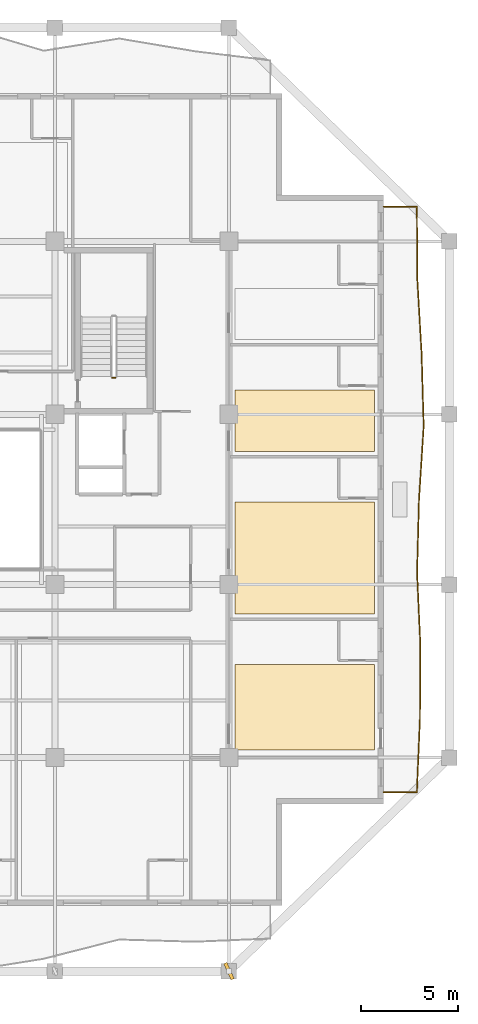
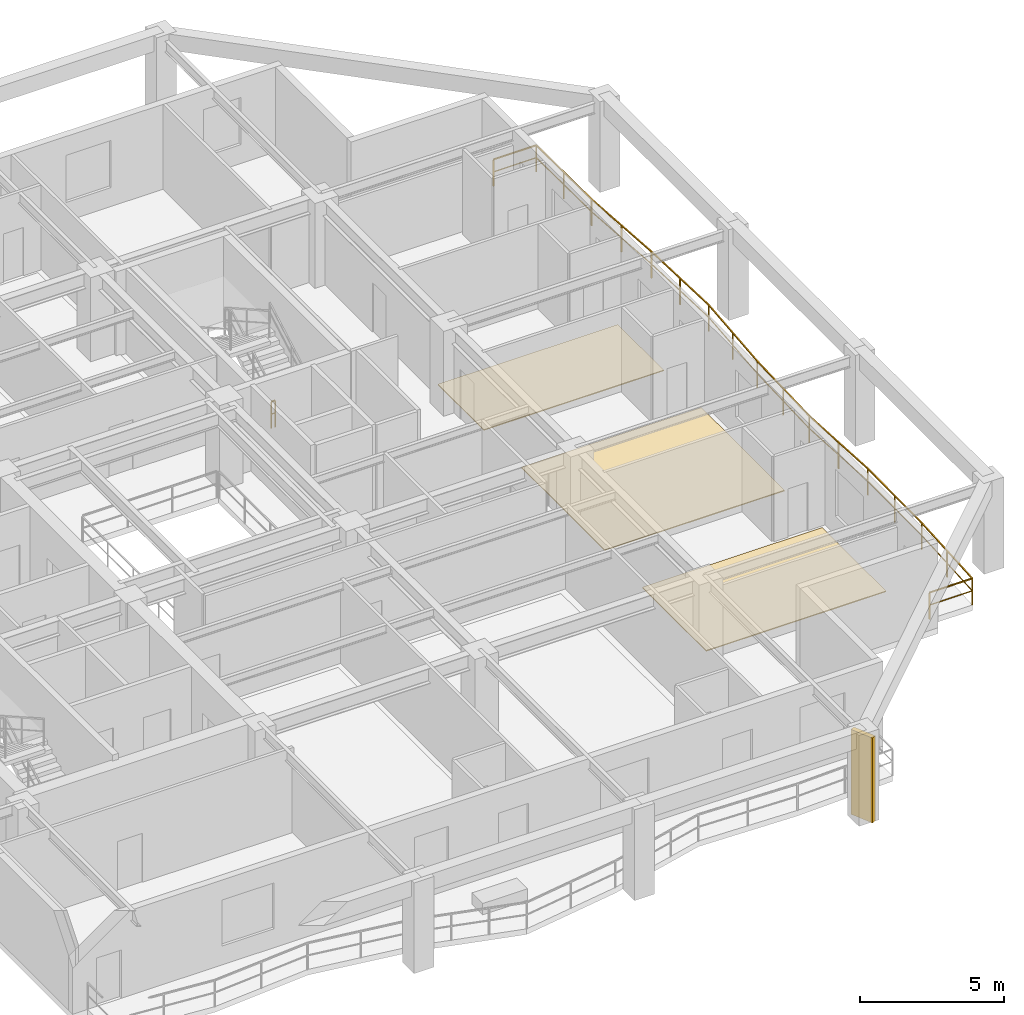
# One storey, part 10 of 13: 3 coverings, 2 railings, 1 shading device.
"""IFC4 building model written with IfcOpenShell, lengths in metres."""

from ifc_helpers import new_model, si_unit, direction, frame, origin, origin_2d, place, context, subcontext, project, spatial, polyline, rectangle, outline, extrude, material, layer, layer_set, type_object, element, save


model = new_model("IFC4")

# Units and contexts
model_context = context("Model", 3, precision=1e-05, world=origin(), true_north=direction((0.0, 1.0)))
body_context = subcontext(model_context, "Body", "Model", "MODEL_VIEW")
ifc_project = project(units=[si_unit("LENGTHUNIT", "METRE"), si_unit("AREAUNIT", "SQUARE_METRE"), si_unit("VOLUMEUNIT", "CUBIC_METRE"), si_unit("PLANEANGLEUNIT", "RADIAN"), si_unit("MASSUNIT", "GRAM", prefix="KILO")], contexts=[model_context])

# Site, building, storey
site_placement = place(None, origin())
site = spatial("IfcSite", under=ifc_project, at=site_placement, CompositionType="ELEMENT")
building_placement = place(site_placement, origin())
building = spatial("IfcBuilding", under=site, at=building_placement, Name="Kundavana Baori Tower", CompositionType="ELEMENT")
storey_placement = place(building_placement, frame((0.0, 0.0, 165.60009765625)))
storey = spatial("IfcBuildingStorey", under=building, at=storey_placement, Name="L40", CompositionType="ELEMENT", Elevation=165.60009765625)

# Coverings
ifc_material_1 = material(Name="Honed Kota Stone and Terrazzo Flooring", Category="masonry")
ifc_layer = layer(ifc_material_1, 0.0400390625, Name="COV-FLR-TERR-40")
ifc_layer_set = layer_set([ifc_layer], Name="Honed Kota Stone and Terrazzo Flooring")
covering_type = type_object("IfcCoveringType", Name="COV-FLR-TERR-40", PredefinedType="FLOORING", material=ifc_layer_set)
covering_1_placement = place(storey_placement, origin())
element("IfcCovering", 1, at=covering_1_placement, inside=storey, type_object=covering_type, Name="L40 Room Finished Stone Flooring 7", PredefinedType="FLOORING", context=body_context, shape_type="SweptSolid", body=[
    extrude(outline(polyline([(43.10009765625, 15.6298828125), (50.320068359375, 15.6298828125), (50.320068359375, 20.070068359375), (43.10009765625, 20.070068359375), (43.10009765625, 15.6298828125)])), origin(), (0.0, 0.0, 1.0), 0.039794921875),
])
covering_2_placement = place(storey_placement, origin())
element("IfcCovering", 2, at=covering_2_placement, inside=storey, type_object=covering_type, Name="L40 Room Finished Stone Flooring 8", PredefinedType="FLOORING", context=body_context, shape_type="SweptSolid", body=[
    extrude(outline(polyline([(43.10009765625, 22.679931640625), (50.320068359375, 22.679931640625), (50.320068359375, 28.469970703125), (43.10009765625, 28.469970703125), (43.10009765625, 22.679931640625)])), origin(), (0.0, 0.0, 1.0), 0.039794921875),
])
covering_3_placement = place(storey_placement, origin())
element("IfcCovering", 3, at=covering_3_placement, inside=storey, type_object=covering_type, Name="L40 Room Finished Stone Flooring 9", PredefinedType="FLOORING", context=body_context, shape_type="SweptSolid", body=[
    extrude(outline(polyline([(43.10009765625, 31.080078125), (50.320068359375, 31.080078125), (50.320068359375, 34.27001953125), (43.10009765625, 34.27001953125), (43.10009765625, 31.080078125)])), origin(), (0.0, 0.0, 1.0), 0.039794921875),
])

# Railings
ifc_material_2 = material(Name="Architectural Patinated Bronze Metalwork")
railing_type_1 = type_object("IfcRailingType", Name="RL-BAL-1150", PredefinedType="BALUSTRADE", material=ifc_material_2)
railing_1_placement = place(storey_placement, frame((50.800048828125, 43.75, 0.0)))
element("IfcRailing", 4, at=railing_1_placement, inside=storey, type_object=railing_type_1, Name="L40 Loggia Balcony Balustrade E", PredefinedType="BALUSTRADE", context=body_context, shape_type="SweptSolid", body=[
    extrude(rectangle(XDim=0.048095703125, YDim=0.048095703125, at=origin_2d()), frame((0.0, 0.0, 1.1259765625), z_axis=(1.0, 0.0, 0.0), x_axis=(0.0, 1.0, 0.0)), (0.0, 0.0, 1.0), 1.719970703125),
    extrude(rectangle(XDim=0.03125, YDim=0.03125, at=origin_2d()), frame((0.0, 0.0, 0.597900390625), z_axis=(1.0, 0.0, 0.0), x_axis=(0.0, 1.0, 0.0)), (0.0, 0.0, 1.0), 1.719970703125),
    extrude(rectangle(XDim=0.048095703125, YDim=0.048095703125, at=origin_2d()), frame((1.719970703125, 0.0, 1.1259765625), z_axis=(0.00715372259, -0.999974411799, 0.0), x_axis=(0.999974411799, 0.00715372259, 0.0)), (0.0, 0.0, 1.0), 3.7880859375),
    extrude(rectangle(XDim=0.03125, YDim=0.03125, at=origin_2d()), frame((1.719970703125, 0.0, 0.597900390625), z_axis=(0.00715372259, -0.999974411799, 0.0), x_axis=(0.999974411799, 0.00715372259, 0.0)), (0.0, 0.0, 1.0), 3.7880859375),
    extrude(rectangle(XDim=0.048095703125, YDim=0.048095703125, at=origin_2d()), frame((1.7470703125, -3.7880859375, 1.1259765625), z_axis=(0.057733468694, -0.998332032238, 0.0), x_axis=(0.998332032238, 0.057733468694, 0.0)), (0.0, 0.0, 1.0), 3.793212890625),
    extrude(rectangle(XDim=0.03125, YDim=0.03125, at=origin_2d()), frame((1.7470703125, -3.7880859375, 0.597900390625), z_axis=(0.057733468694, -0.998332032238, 0.0), x_axis=(0.998332032238, 0.057733468694, 0.0)), (0.0, 0.0, 1.0), 3.793212890625),
    extrude(rectangle(XDim=0.048095703125, YDim=0.048095703125, at=origin_2d()), frame((1.966064453125, -7.574951171875, 1.1259765625), z_axis=(0.028482508809, -0.999594291046, 0.0), x_axis=(0.999594291046, 0.028482508809, 0.0)), (0.0, 0.0, 1.0), 3.78857421875),
    extrude(rectangle(XDim=0.03125, YDim=0.03125, at=origin_2d()), frame((1.966064453125, -7.574951171875, 0.597900390625), z_axis=(0.028482508809, -0.999594291046, 0.0), x_axis=(0.999594291046, 0.028482508809, 0.0)), (0.0, 0.0, 1.0), 3.78857421875),
    extrude(rectangle(XDim=0.048095703125, YDim=0.048095703125, at=origin_2d()), frame((2.073974609375, -11.362060546875, 1.1259765625), z_axis=(-0.063487519069, -0.997982632576, 0.0), x_axis=(0.997982632576, -0.063487519069, 0.0)), (0.0, 0.0, 1.0), 3.79541015625),
    extrude(rectangle(XDim=0.03125, YDim=0.03125, at=origin_2d()), frame((2.073974609375, -11.362060546875, 0.597900390625), z_axis=(-0.063487519069, -0.997982632576, 0.0), x_axis=(0.997982632576, -0.063487519069, 0.0)), (0.0, 0.0, 1.0), 3.79541015625),
    extrude(rectangle(XDim=0.048095703125, YDim=0.048095703125, at=origin_2d()), frame((1.8330078125, -15.14990234375, 1.1259765625), z_axis=(-0.026672641649, -0.999644221805, 0.0), x_axis=(0.999644221805, -0.026672641649, 0.0)), (0.0, 0.0, 1.0), 3.78955078125),
    extrude(rectangle(XDim=0.03125, YDim=0.03125, at=origin_2d()), frame((1.8330078125, -15.14990234375, 0.597900390625), z_axis=(-0.026672641649, -0.999644221805, 0.0), x_axis=(0.999644221805, -0.026672641649, 0.0)), (0.0, 0.0, 1.0), 3.78955078125),
    extrude(rectangle(XDim=0.048095703125, YDim=0.048095703125, at=origin_2d()), frame((1.73193359375, -18.93798828125, 1.1259765625), z_axis=(0.045401818467, -0.998968805759, 0.0), x_axis=(0.998968805759, 0.045401818467, 0.0)), (0.0, 0.0, 1.0), 3.791015625),
    extrude(rectangle(XDim=0.03125, YDim=0.03125, at=origin_2d()), frame((1.73193359375, -18.93798828125, 0.597900390625), z_axis=(0.045401818467, -0.998968805759, 0.0), x_axis=(0.998968805759, 0.045401818467, 0.0)), (0.0, 0.0, 1.0), 3.791015625),
    extrude(rectangle(XDim=0.048095703125, YDim=0.048095703125, at=origin_2d()), frame((1.904052734375, -22.72509765625, 1.1259765625), z_axis=(-0.00638243721, -0.99997963204, 0.0), x_axis=(0.99997963204, -0.00638243721, 0.0)), (0.0, 0.0, 1.0), 3.786865234375),
    extrude(rectangle(XDim=0.03125, YDim=0.03125, at=origin_2d()), frame((1.904052734375, -22.72509765625, 0.597900390625), z_axis=(-0.00638243721, -0.99997963204, 0.0), x_axis=(0.99997963204, -0.00638243721, 0.0)), (0.0, 0.0, 1.0), 3.786865234375),
    extrude(rectangle(XDim=0.048095703125, YDim=0.048095703125, at=origin_2d()), frame((1.8798828125, -26.511962890625, 1.1259765625), z_axis=(-0.04217692403, -0.99911015763, 0.0), x_axis=(0.99911015763, -0.04217692403, 0.0)), (0.0, 0.0, 1.0), 3.79150390625),
    extrude(rectangle(XDim=0.03125, YDim=0.03125, at=origin_2d()), frame((1.8798828125, -26.511962890625, 0.597900390625), z_axis=(-0.04217692403, -0.99911015763, 0.0), x_axis=(0.99911015763, -0.04217692403, 0.0)), (0.0, 0.0, 1.0), 3.79150390625),
    extrude(rectangle(XDim=0.048095703125, YDim=0.048095703125, at=origin_2d()), frame((1.719970703125, -30.300048828125, 1.1259765625), z_axis=(-1.0, 0.0, 0.0), x_axis=(0.0, -1.0, 0.0)), (0.0, 0.0, 1.0), 1.719970703125),
    extrude(rectangle(XDim=0.03125, YDim=0.03125, at=origin_2d()), frame((1.719970703125, -30.300048828125, 0.597900390625), z_axis=(-1.0, 0.0, 0.0), x_axis=(0.0, -1.0, 0.0)), (0.0, 0.0, 1.0), 1.719970703125),
    extrude(rectangle(XDim=0.0419921875, YDim=0.0419921875, at=origin_2d()), origin(), (0.0, 0.0, 1.0), 1.101806640625),
    extrude(rectangle(XDim=0.0419921875, YDim=0.0419921875, at=origin_2d()), frame((1.719970703125, 0.0, 0.0)), (0.0, 0.0, 1.0), 1.101806640625),
    extrude(rectangle(XDim=0.0419921875, YDim=0.0419921875, at=origin_2d()), frame((1.7333984375, -1.89404296875, 0.0)), (0.0, 0.0, 1.0), 1.101806640625),
    extrude(rectangle(XDim=0.0419921875, YDim=0.0419921875, at=origin_2d()), frame((1.7470703125, -3.7880859375, 0.0)), (0.0, 0.0, 1.0), 1.101806640625),
    extrude(rectangle(XDim=0.0419921875, YDim=0.0419921875, at=origin_2d()), frame((1.8564453125, -5.681640625, 0.0)), (0.0, 0.0, 1.0), 1.101806640625),
    extrude(rectangle(XDim=0.0419921875, YDim=0.0419921875, at=origin_2d()), frame((1.966064453125, -7.574951171875, 0.0)), (0.0, 0.0, 1.0), 1.101806640625),
    extrude(rectangle(XDim=0.0419921875, YDim=0.0419921875, at=origin_2d()), frame((2.02001953125, -9.468505859375, 0.0)), (0.0, 0.0, 1.0), 1.101806640625),
    extrude(rectangle(XDim=0.0419921875, YDim=0.0419921875, at=origin_2d()), frame((2.073974609375, -11.362060546875, 0.0)), (0.0, 0.0, 1.0), 1.101806640625),
    extrude(rectangle(XDim=0.0419921875, YDim=0.0419921875, at=origin_2d()), frame((1.95361328125, -13.255859375, 0.0)), (0.0, 0.0, 1.0), 1.101806640625),
    extrude(rectangle(XDim=0.0419921875, YDim=0.0419921875, at=origin_2d()), frame((1.8330078125, -15.14990234375, 0.0)), (0.0, 0.0, 1.0), 1.101806640625),
    extrude(rectangle(XDim=0.0419921875, YDim=0.0419921875, at=origin_2d()), frame((1.782470703125, -17.0439453125, 0.0)), (0.0, 0.0, 1.0), 1.101806640625),
    extrude(rectangle(XDim=0.0419921875, YDim=0.0419921875, at=origin_2d()), frame((1.73193359375, -18.93798828125, 0.0)), (0.0, 0.0, 1.0), 1.101806640625),
    extrude(rectangle(XDim=0.0419921875, YDim=0.0419921875, at=origin_2d()), frame((1.81787109375, -20.83154296875, 0.0)), (0.0, 0.0, 1.0), 1.101806640625),
    extrude(rectangle(XDim=0.0419921875, YDim=0.0419921875, at=origin_2d()), frame((1.904052734375, -22.72509765625, 0.0)), (0.0, 0.0, 1.0), 1.101806640625),
    extrude(rectangle(XDim=0.0419921875, YDim=0.0419921875, at=origin_2d()), frame((1.89208984375, -24.61865234375, 0.0)), (0.0, 0.0, 1.0), 1.101806640625),
    extrude(rectangle(XDim=0.0419921875, YDim=0.0419921875, at=origin_2d()), frame((1.8798828125, -26.511962890625, 0.0)), (0.0, 0.0, 1.0), 1.101806640625),
    extrude(rectangle(XDim=0.0419921875, YDim=0.0419921875, at=origin_2d()), frame((1.7998046875, -28.406005859375, 0.0)), (0.0, 0.0, 1.0), 1.101806640625),
    extrude(rectangle(XDim=0.0419921875, YDim=0.0419921875, at=origin_2d()), frame((1.719970703125, -30.300048828125, 0.0)), (0.0, 0.0, 1.0), 1.101806640625),
    extrude(rectangle(XDim=0.0419921875, YDim=0.0419921875, at=origin_2d()), frame((0.0, -30.300048828125, 0.0)), (0.0, 0.0, 1.0), 1.101806640625),
])
ifc_material_3 = material(Name="Architectural Patinated Bronze Metalwork")
railing_type_2 = type_object("IfcRailingType", Name="RL-GRD-1150", PredefinedType="GUARDRAIL", material=ifc_material_3)
railing_2_placement = place(storey_placement, frame((36.929931640625, 34.89990234375, 0.0)))
element("IfcRailing", 5, at=railing_2_placement, inside=storey, type_object=railing_type_2, Name="L40 ST3 stair guard 4", PredefinedType="GUARDRAIL", context=body_context, shape_type="SweptSolid", body=[
    extrude(rectangle(XDim=0.048095703125, YDim=0.048095703125, at=origin_2d()), frame((0.0, 0.0, 1.1259765625), z_axis=(-1.0, 0.0, 0.0), x_axis=(0.0, -1.0, 0.0)), (0.0, 0.0, 1.0), 0.159912109375),
    extrude(rectangle(XDim=0.03125, YDim=0.03125, at=origin_2d()), frame((0.0, 0.0, 0.597900390625), z_axis=(-1.0, 0.0, 0.0), x_axis=(0.0, -1.0, 0.0)), (0.0, 0.0, 1.0), 0.159912109375),
    extrude(rectangle(XDim=0.0419921875, YDim=0.0419921875, at=origin_2d()), origin(), (0.0, 0.0, 1.0), 1.101806640625),
    extrude(rectangle(XDim=0.0419921875, YDim=0.0419921875, at=origin_2d()), frame((-0.159912109375, 0.0, 0.0)), (0.0, 0.0, 1.0), 1.101806640625),
])

# Shading device
ifc_material_4 = material(Name="Red-Buff Dholpur Sandstone Cladding on Concrete C40/50", Category="masonry")
shading_device_type = type_object("IfcShadingDeviceType", Name="SHD-FIN-920", PredefinedType="JALOUSIE", material=ifc_material_4)
shading_device_placement = place(storey_placement, frame((42.800048828125, 4.199951171875, -0.000244140625), z_axis=(0.0, 0.0, 1.0), x_axis=(0.910033634641, 0.414534418138, 0.0)))
element("IfcShadingDevice", 6, at=shading_device_placement, inside=storey, type_object=shading_device_type, Name="L40 Sweeping Dholpur Sandstone Facade Fin 4", PredefinedType="JALOUSIE", context=body_context, shape_type="SweptSolid", body=[
    extrude(rectangle(XDim=0.179931640625, YDim=0.919921875, at=origin_2d()), origin(), (0.0, 0.0, 1.0), 3.60009765625),
])

save(model, "model.ifc")
